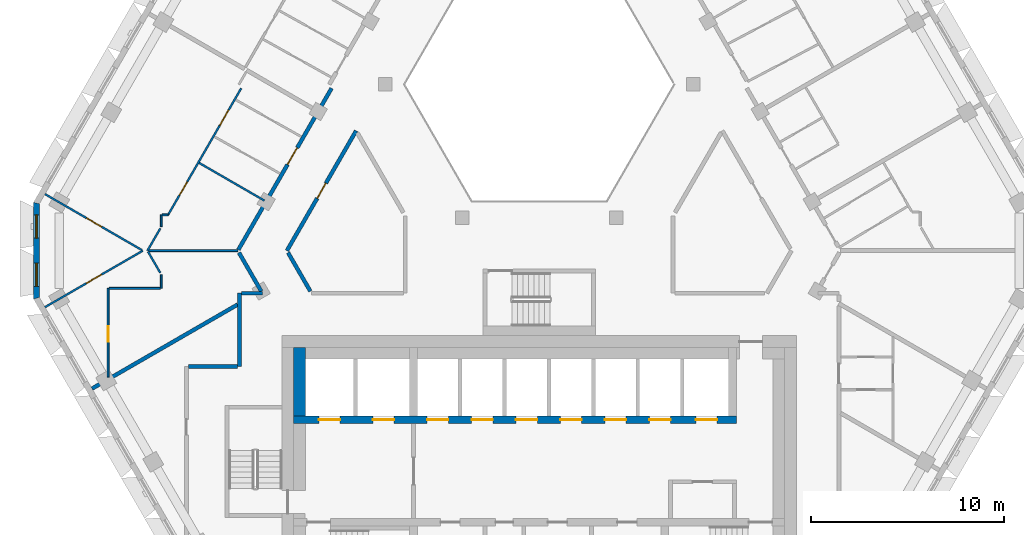
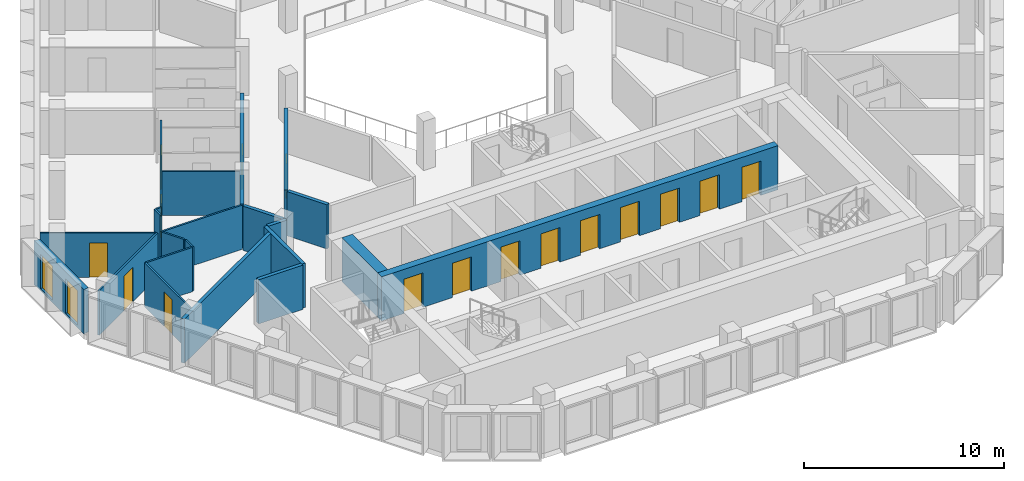
# One storey, part 4 of 18: 23 walls, 16 doors, 2 windows, 18 openings.
"""IFC4 building model written with IfcOpenShell, lengths in metres."""

from ifc_helpers import new_model, si_unit, direction, frame, frame_2d, origin, place, context, subcontext, project, spatial, polyline, rectangle, outline, extrude, material, layer, layer_set, type_object, element, fill, save


model = new_model("IFC4")

# Units and contexts
model_context = context("Model", 3, precision=1e-05, world=origin(), true_north=direction((0.0, 1.0)))
body_context = subcontext(model_context, "Body", "Model", "MODEL_VIEW")
ifc_project = project(units=[si_unit("LENGTHUNIT", "METRE"), si_unit("AREAUNIT", "SQUARE_METRE"), si_unit("VOLUMEUNIT", "CUBIC_METRE"), si_unit("PLANEANGLEUNIT", "RADIAN"), si_unit("MASSUNIT", "GRAM", prefix="KILO")], contexts=[model_context])

# Site, building, storey
site_placement = place(None, origin())
site = spatial("IfcSite", under=ifc_project, at=site_placement, CompositionType="ELEMENT")
building_placement = place(site_placement, origin())
building = spatial("IfcBuilding", under=site, at=building_placement, Name="Beryl Residences", CompositionType="ELEMENT")
storey_placement = place(building_placement, frame((0.0, 0.0, 190.199951171875)))
storey = spatial("IfcBuildingStorey", under=building, at=storey_placement, Name="L58", CompositionType="ELEMENT", Elevation=190.199951171875)

# Wall, openings, windows
ifc_material_1 = material(Name="Composite metal panel with mineral wool insulation")
ifc_layer_1 = layer(ifc_material_1, 0.300048828125)
ifc_layer_set_1 = layer_set([ifc_layer_1], Name="ES1 pale metal composite panel wall 300 mm")
wall_type_1 = type_object("IfcWallType", Name="ES1 pale metal composite panel wall 300 mm", PredefinedType="SOLIDWALL", material=ifc_layer_set_1)
wall_1_placement = place(storey_placement, frame((-26.00390625, 1.89990234375, 0.0), z_axis=(0.0, 0.0, 1.0), x_axis=(0.0, -1.0, 0.0)))
wall_1 = element("IfcWall", 1, at=wall_1_placement, inside=storey, type_object=wall_type_1, Name="ES1 external wall L58 NW-SW", PredefinedType="SOLIDWALL", context=body_context, shape_type="SweptSolid", body=[
    extrude(outline(polyline([(0.0, -0.14990234375), (5.0, -0.14990234375), (4.919677734375, 0.14990234375), (0.080322265625, 0.14990234375), (0.0, -0.14990234375)])), origin(), (0.0, 0.0, 1.0), 2.699951171875),
])
opening_1_placement = place(wall_1_placement, frame((0.64990234375, 0.0, 0.14990234375)))
opening_1 = element("IfcOpeningElement", 2, at=opening_1_placement, cuts=wall_1, Name="Opening W2", PredefinedType="OPENING", context=body_context, shape_type="SweptSolid", body=[
    extrude(rectangle(XDim=1.199951171875, YDim=2.10009765625, at=frame_2d((0.60009765625, 1.050048828125))), frame((0.0, 0.159912109375, 0.0), z_axis=(0.0, -1.0, 0.0), x_axis=(1.0, 0.0, 0.0)), (0.0, 0.0, 1.0), 0.320068359375),
])
opening_2_placement = place(wall_1_placement, frame((3.14990234375, 0.0, 0.14990234375)))
opening_2 = element("IfcOpeningElement", 3, at=opening_2_placement, cuts=wall_1, Name="Opening W2", PredefinedType="OPENING", context=body_context, shape_type="SweptSolid", body=[
    extrude(rectangle(XDim=1.199951171875, YDim=2.10009765625, at=frame_2d((0.60009765625, 1.050048828125))), frame((0.0, 0.159912109375, 0.0), z_axis=(0.0, -1.0, 0.0), x_axis=(1.0, 0.0, 0.0)), (0.0, 0.0, 1.0), 0.320068359375),
])
ifc_material_2 = material(Name="Aluminium and clear glass", Category="aluminium")
window_type = type_object("IfcWindowType", Name="W2 chamfer window 1200 x 2100 mm", PartitioningType="SINGLE_PANEL", PredefinedType="WINDOW", material=ifc_material_2)
window_1_placement = place(opening_1_placement, origin())
window_1 = element("IfcWindow", 4, at=window_1_placement, inside=storey, type_object=window_type, Name="W2 window L58 NW-SW 1", OverallHeight=2.10009765625, OverallWidth=1.199951171875, PartitioningType="SINGLE_PANEL", PredefinedType="WINDOW", context=body_context, shape_type="SweptSolid", body=[
    extrude(rectangle(XDim=1.199951171875, YDim=2.10009765625, at=frame_2d((0.60009765625, 1.050048828125))), frame((0.0, 0.030029296875, 0.0), z_axis=(0.0, -1.0, 0.0), x_axis=(1.0, 0.0, 0.0)), (0.0, 0.0, 1.0), 0.06005859375),
])
fill(opening_1, window_1)
window_2_placement = place(opening_2_placement, origin())
window_2 = element("IfcWindow", 5, at=window_2_placement, inside=storey, type_object=window_type, Name="W2 window L58 NW-SW 2", OverallHeight=2.10009765625, OverallWidth=1.199951171875, PartitioningType="SINGLE_PANEL", PredefinedType="WINDOW", context=body_context, shape_type="SweptSolid", body=[
    extrude(rectangle(XDim=1.199951171875, YDim=2.10009765625, at=frame_2d((0.60009765625, 1.050048828125))), frame((0.0, 0.030029296875, 0.0), z_axis=(0.0, -1.0, 0.0), x_axis=(1.0, 0.0, 0.0)), (0.0, 0.0, 1.0), 0.06005859375),
])
fill(opening_2, window_2)

# Walls
ifc_material_3 = material(Name="Gypsum board partition on steel studs", Category="steel")
ifc_layer_2 = layer(ifc_material_3, 0.10009765625)
ifc_layer_set_2 = layer_set([ifc_layer_2], Name="PT1 partition 100 mm gypsum board on steel studs")
wall_type_2 = type_object("IfcWallType", Name="PT1 partition 100 mm gypsum board on steel studs", PredefinedType="PARTITIONING", material=ifc_layer_set_2)
wall_2_placement = place(storey_placement, frame((-20.23291015625, -0.65087890625, 0.0), z_axis=(0.0, 0.0, 1.0), x_axis=(0.500498449207, -0.865737432679, 0.0)))
element("IfcWall", 6, at=wall_2_placement, inside=storey, type_object=wall_type_2, Name="Wall PT1 L58 001", PredefinedType="PARTITIONING", context=body_context, shape_type="SweptSolid", body=[
    extrude(rectangle(XDim=1.270751953125, YDim=0.10009765625, at=frame_2d((0.63525390625, 0.0))), origin(), (0.0, 0.0, 1.0), 2.699951171875),
])
wall_3_placement = place(storey_placement, frame((-17.5849609375, 3.93603515625, 0.0), z_axis=(0.0, 0.0, 1.0), x_axis=(0.865979019114, -0.500080332001, 0.0)))
element("IfcWall", 7, at=wall_3_placement, inside=storey, type_object=wall_type_2, Name="Wall PT1 L58 013", PredefinedType="PARTITIONING", context=body_context, shape_type="SweptSolid", body=[
    extrude(rectangle(XDim=3.897216796875, YDim=0.10009765625, at=frame_2d((1.94873046875, 0.0))), origin(), (0.0, 0.0, 1.0), 2.699951171875),
])

# Wall, opening, door
wall_4_placement = place(storey_placement, frame((-25.56201171875, 2.324951171875, 0.0), z_axis=(0.0, 0.0, 1.0), x_axis=(0.86599890761, -0.500045889912, 0.0)))
wall_4 = element("IfcWall", 8, at=wall_4_placement, inside=storey, type_object=wall_type_2, Name="Wall PT1 L58 014", PredefinedType="PARTITIONING", context=body_context, shape_type="SweptSolid", body=[
    extrude(rectangle(XDim=5.79345703125, YDim=0.10009765625, at=frame_2d((2.896728515625, 0.0))), origin(), (0.0, 0.0, 1.0), 2.699951171875),
])
opening_3_placement = place(wall_4_placement, frame((2.47607421875, 0.0, 0.0)))
opening_3 = element("IfcOpeningElement", 9, at=opening_3_placement, cuts=wall_4, Name="Opening D1528", PredefinedType="OPENING", context=body_context, shape_type="SweptSolid", body=[
    extrude(rectangle(XDim=0.89990234375, YDim=2.10009765625, at=frame_2d((0.449951171875, 1.050048828125))), frame((0.0, 0.06005859375, 0.0), z_axis=(0.0, -1.0, 0.0), x_axis=(1.0, 0.0, 0.0)), (0.0, 0.0, 1.0), 0.1201171875),
])
ifc_material_4 = material(Name="Timber door leaf", Category="wood")
door_type_1 = type_object("IfcDoorType", Name="D2 room door 900 x 2100 mm", OperationType="SINGLE_SWING_LEFT", PredefinedType="DOOR", material=ifc_material_4)
door_1_placement = place(opening_3_placement, origin())
door_1 = element("IfcDoor", 10, at=door_1_placement, inside=storey, type_object=door_type_1, Name="Door D1528 L58 001", OperationType="SINGLE_SWING_RIGHT", OverallHeight=2.10009765625, OverallWidth=0.89990234375, PredefinedType="DOOR", context=body_context, shape_type="SweptSolid", body=[
    extrude(rectangle(XDim=0.89990234375, YDim=2.10009765625, at=frame_2d((0.449951171875, 1.050048828125))), frame((0.0, 0.02490234375, 0.0), z_axis=(0.0, -1.0, 0.0), x_axis=(1.0, 0.0, 0.0)), (0.0, 0.0, 1.0), 0.050048828125),
])
fill(opening_3, door_1)

# Walls
wall_5_placement = place(storey_placement, frame((-20.2041015625, -0.60107421875, 0.0), z_axis=(0.0, 0.0, 1.0), x_axis=(1.0, 0.0, 0.0)))
element("IfcWall", 11, at=wall_5_placement, inside=storey, type_object=wall_type_2, Name="Wall PT1 L58 017", PredefinedType="PARTITIONING", context=body_context, shape_type="SweptSolid", body=[
    extrude(rectangle(XDim=4.6162109375, YDim=0.10009765625, at=frame_2d((2.30810546875, 0.0))), origin(), (0.0, 0.0, 1.0), 2.699951171875),
])
wall_6_placement = place(storey_placement, frame((-22.2470703125, -2.552978515625, 0.0), z_axis=(0.0, 0.0, 1.0), x_axis=(1.0, 0.0, 0.0)))
element("IfcWall", 12, at=wall_6_placement, inside=storey, type_object=wall_type_2, Name="Wall PT1 L58 020", PredefinedType="PARTITIONING", context=body_context, shape_type="SweptSolid", body=[
    extrude(rectangle(XDim=2.650146484375, YDim=0.10009765625, at=frame_2d((1.3251953125, 0.0))), origin(), (0.0, 0.0, 1.0), 2.699951171875),
])
wall_7_placement = place(storey_placement, frame((-19.4970703125, 1.2470703125, 0.0), z_axis=(0.0, 0.0, 1.0), x_axis=(1.0, 0.0, 0.0)))
element("IfcWall", 13, at=wall_7_placement, inside=storey, type_object=wall_type_2, Name="Wall PT1 L58 021", PredefinedType="PARTITIONING", context=body_context, shape_type="SweptSolid", body=[
    extrude(rectangle(XDim=0.302001953125, YDim=0.10009765625, at=frame_2d((0.15087890625, 0.0))), origin(), (0.0, 0.0, 1.0), 2.699951171875),
])
wall_8_placement = place(storey_placement, frame((-20.261962890625, -0.60107421875, 0.0), z_axis=(0.0, 0.0, 1.0), x_axis=(0.500247001515, 0.86588275042, 0.0)))
element("IfcWall", 14, at=wall_8_placement, inside=storey, type_object=wall_type_2, Name="Wall PT1 L58 027", PredefinedType="PARTITIONING", context=body_context, shape_type="SweptSolid", body=[
    extrude(rectangle(XDim=1.329345703125, YDim=0.10009765625, at=frame_2d((0.66455078125, 0.0))), origin(), (0.0, 0.0, 1.0), 2.699951171875),
])

# Wall, openings, doors
wall_9_placement = place(storey_placement, frame((-19.195068359375, 1.2470703125, 0.0), z_axis=(0.0, 0.0, 1.0), x_axis=(0.499959862915, 0.866048575701, 0.0)))
wall_9 = element("IfcWall", 15, at=wall_9_placement, inside=storey, type_object=wall_type_2, Name="Wall PT1 L58 028", PredefinedType="PARTITIONING", context=body_context, shape_type="SweptSolid", body=[
    extrude(rectangle(XDim=7.56640625, YDim=0.10009765625, at=frame_2d((3.783203125, 0.0))), origin(), (0.0, 0.0, 1.0), 2.699951171875),
])
opening_4_placement = place(wall_9_placement, frame((5.35400390625, 0.0, 0.0)))
opening_4 = element("IfcOpeningElement", 16, at=opening_4_placement, cuts=wall_9, Name="Opening D1527", PredefinedType="OPENING", context=body_context, shape_type="SweptSolid", body=[
    extrude(rectangle(XDim=0.89990234375, YDim=2.10009765625, at=frame_2d((0.449951171875, 1.050048828125))), frame((0.0, 0.06005859375, 0.0), z_axis=(0.0, -1.0, 0.0), x_axis=(1.0, 0.0, 0.0)), (0.0, 0.0, 1.0), 0.1201171875),
])
opening_5_placement = place(wall_9_placement, frame((1.177001953125, 0.0, 0.0)))
opening_5 = element("IfcOpeningElement", 17, at=opening_5_placement, cuts=wall_9, Name="Opening D1529", PredefinedType="OPENING", context=body_context, shape_type="SweptSolid", body=[
    extrude(rectangle(XDim=0.800048828125, YDim=2.10009765625, at=frame_2d((0.39990234375, 1.050048828125))), frame((0.0, 0.06005859375, 0.0), z_axis=(0.0, -1.0, 0.0), x_axis=(1.0, 0.0, 0.0)), (0.0, 0.0, 1.0), 0.1201171875),
])
door_2_placement = place(opening_4_placement, origin())
door_2 = element("IfcDoor", 18, at=door_2_placement, inside=storey, type_object=door_type_1, Name="Door D1527 L58 001", OperationType="SINGLE_SWING_LEFT", OverallHeight=2.10009765625, OverallWidth=0.89990234375, PredefinedType="DOOR", context=body_context, shape_type="SweptSolid", body=[
    extrude(rectangle(XDim=0.89990234375, YDim=2.10009765625, at=frame_2d((0.449951171875, 1.050048828125))), frame((0.0, 0.02490234375, 0.0), z_axis=(0.0, -1.0, 0.0), x_axis=(1.0, 0.0, 0.0)), (0.0, 0.0, 1.0), 0.050048828125),
])
fill(opening_4, door_2)
ifc_material_5 = material(Name="Timber door leaf", Category="wood")
door_type_2 = type_object("IfcDoorType", Name="D3 bathroom door 800 x 2100 mm", OperationType="SINGLE_SWING_LEFT", PredefinedType="DOOR", material=ifc_material_5)
door_3_placement = place(opening_5_placement, origin())
door_3 = element("IfcDoor", 19, at=door_3_placement, inside=storey, type_object=door_type_2, Name="Door D1529 L58 001", OperationType="SINGLE_SWING_LEFT", OverallHeight=2.10009765625, OverallWidth=0.800048828125, PredefinedType="DOOR", context=body_context, shape_type="SweptSolid", body=[
    extrude(rectangle(XDim=0.800048828125, YDim=2.10009765625, at=frame_2d((0.39990234375, 1.050048828125))), frame((0.0, 0.02490234375, 0.0), z_axis=(0.0, -1.0, 0.0), x_axis=(1.0, 0.0, 0.0)), (0.0, 0.0, 1.0), 0.050048828125),
])
fill(opening_5, door_3)

# Walls
wall_10_placement = place(storey_placement, frame((-19.547119140625, -2.552978515625, 0.0), z_axis=(0.0, 0.0, 1.0), x_axis=(0.0, 1.0, 0.0)))
element("IfcWall", 20, at=wall_10_placement, inside=storey, type_object=wall_type_2, Name="Wall PT1 L58 037", PredefinedType="PARTITIONING", context=body_context, shape_type="SweptSolid", body=[
    extrude(rectangle(XDim=0.715087890625, YDim=0.10009765625, at=frame_2d((0.357421875, 0.0))), origin(), (0.0, 0.0, 1.0), 2.699951171875),
])
wall_11_placement = place(storey_placement, frame((-19.547119140625, 0.636962890625, 0.0), z_axis=(0.0, 0.0, 1.0), x_axis=(0.0, 1.0, 0.0)))
element("IfcWall", 21, at=wall_11_placement, inside=storey, type_object=wall_type_2, Name="Wall PT1 L58 038", PredefinedType="PARTITIONING", context=body_context, shape_type="SweptSolid", body=[
    extrude(rectangle(XDim=0.610107421875, YDim=0.10009765625, at=frame_2d((0.30517578125, 0.0))), origin(), (0.0, 0.0, 1.0), 2.699951171875),
])

# Wall, opening, door
wall_12_placement = place(storey_placement, frame((-22.297119140625, -7.14111328125, 0.0), z_axis=(0.0, 0.0, 1.0), x_axis=(0.0, 1.0, 0.0)))
wall_12 = element("IfcWall", 22, at=wall_12_placement, inside=storey, type_object=wall_type_2, Name="Wall PT1 L58 039", PredefinedType="PARTITIONING", context=body_context, shape_type="SweptSolid", body=[
    extrude(rectangle(XDim=4.588134765625, YDim=0.10009765625, at=frame_2d((2.2939453125, 0.0))), origin(), (0.0, 0.0, 1.0), 2.699951171875),
])
opening_6_placement = place(wall_12_placement, frame((1.8359375, 0.0, 0.0)))
opening_6 = element("IfcOpeningElement", 23, at=opening_6_placement, cuts=wall_12, Name="Opening D1531", PredefinedType="OPENING", context=body_context, shape_type="SweptSolid", body=[
    extrude(rectangle(XDim=0.800048828125, YDim=2.10009765625, at=frame_2d((0.39990234375, 1.050048828125))), frame((0.0, 0.06005859375, 0.0), z_axis=(0.0, -1.0, 0.0), x_axis=(1.0, 0.0, 0.0)), (0.0, 0.0, 1.0), 0.1201171875),
])
door_4_placement = place(opening_6_placement, origin())
door_4 = element("IfcDoor", 24, at=door_4_placement, inside=storey, type_object=door_type_2, Name="Door D1531 L58 001", OperationType="SINGLE_SWING_LEFT", OverallHeight=2.10009765625, OverallWidth=0.800048828125, PredefinedType="DOOR", context=body_context, shape_type="SweptSolid", body=[
    extrude(rectangle(XDim=0.800048828125, YDim=2.10009765625, at=frame_2d((0.39990234375, 1.050048828125))), frame((0.0, 0.02490234375, 0.0), z_axis=(0.0, -1.0, 0.0), x_axis=(1.0, 0.0, 0.0)), (0.0, 0.0, 1.0), 0.050048828125),
])
fill(opening_6, door_4)

wall_13_placement = place(storey_placement, frame((-25.56298828125, -3.52392578125, 0.0), z_axis=(0.0, 0.0, 1.0), x_axis=(0.866128586522, 0.499821239653, 0.0)))
wall_13 = element("IfcWall", 25, at=wall_13_placement, inside=storey, type_object=wall_type_2, Name="Wall PT1 L58 045", PredefinedType="PARTITIONING", context=body_context, shape_type="SweptSolid", body=[
    extrude(rectangle(XDim=5.847900390625, YDim=0.10009765625, at=frame_2d((2.923828125, 0.0))), origin(), (0.0, 0.0, 1.0), 2.699951171875),
])
opening_7_placement = place(wall_13_placement, frame((2.47412109375, 0.0, 0.0)))
opening_7 = element("IfcOpeningElement", 26, at=opening_7_placement, cuts=wall_13, Name="Opening D1530", PredefinedType="OPENING", context=body_context, shape_type="SweptSolid", body=[
    extrude(rectangle(XDim=0.89990234375, YDim=2.10009765625, at=frame_2d((0.449951171875, 1.050048828125))), frame((0.0, 0.06005859375, 0.0), z_axis=(0.0, -1.0, 0.0), x_axis=(1.0, 0.0, 0.0)), (0.0, 0.0, 1.0), 0.1201171875),
])
door_5_placement = place(opening_7_placement, origin())
door_5 = element("IfcDoor", 27, at=door_5_placement, inside=storey, type_object=door_type_1, Name="Door D1530 L58 001", OperationType="SINGLE_SWING_RIGHT", OverallHeight=2.10009765625, OverallWidth=0.89990234375, PredefinedType="DOOR", context=body_context, shape_type="SweptSolid", body=[
    extrude(rectangle(XDim=0.89990234375, YDim=2.10009765625, at=frame_2d((0.449951171875, 1.050048828125))), frame((0.0, 0.02490234375, 0.0), z_axis=(0.0, -1.0, 0.0), x_axis=(1.0, 0.0, 0.0)), (0.0, 0.0, 1.0), 0.050048828125),
])
fill(opening_7, door_5)

# Walls
ifc_material_6 = material(Name="Acoustic double stud gypsum board wall")
ifc_layer_3 = layer(ifc_material_6, 0.199951171875)
ifc_layer_set_3 = layer_set([ifc_layer_3], Name="PT3 party wall 200 mm acoustic double stud")
wall_type_3 = type_object("IfcWallType", Name="PT3 party wall 200 mm acoustic double stud", PredefinedType="PARTITIONING", material=ifc_layer_set_3)
wall_14_placement = place(storey_placement, frame((-23.1298828125, -7.737060546875, 0.0), z_axis=(0.0, 0.0, 1.0), x_axis=(0.866033148899, 0.499986584829, 0.0)))
element("IfcWall", 28, at=wall_14_placement, inside=storey, type_object=wall_type_3, Name="Wall PT3 L58 013", PredefinedType="PARTITIONING", context=body_context, shape_type="SweptSolid", body=[
    extrude(rectangle(XDim=8.694580078125, YDim=0.199951171875, at=frame_2d((4.34716796875, 0.0))), origin(), (0.0, 0.0, 1.0), 2.699951171875),
])
ifc_material_7 = material(Name="Double stud gypsum board wall")
ifc_layer_4 = layer(ifc_material_7, 0.199951171875)
ifc_layer_set_4 = layer_set([ifc_layer_4], Name="PT4 corridor wall 200 mm double stud")
wall_type_4 = type_object("IfcWallType", Name="PT4 corridor wall 200 mm double stud", PredefinedType="PARTITIONING", material=ifc_layer_set_4)
for number, where, z_axis, x_axis, name in (
    (29, (-12.989990234375, -0.700927734375, 0.0), (0.0, 0.0, 1.0), (0.499972710878, -0.866041158593, 0.0), "Wall PT4 L58 002"),
    (30, (-15.530029296875, -0.700927734375, 0.0), (0.0, 0.0, 1.0), (0.499972710878, -0.866041158593, 0.0), "Wall PT4 L58 003"),
):
    element("IfcWall", number, at=place(storey_placement, frame(where, z_axis=z_axis, x_axis=x_axis)), inside=storey, type_object=wall_type_4, Name=name, PredefinedType="PARTITIONING", context=body_context, shape_type="SweptSolid", body=[
        extrude(rectangle(XDim=2.308349609375, YDim=0.199951171875, at=frame_2d((1.154296875, 0.0))), origin(), (0.0, 0.0, 1.0), 2.699951171875),
    ])
wall_15_placement = place(storey_placement, frame((-18.14892578125, -6.60009765625, 0.0), z_axis=(0.0, 0.0, 1.0), x_axis=(1.0, 0.0, 0.0)))
element("IfcWall", 31, at=wall_15_placement, inside=storey, type_object=wall_type_4, Name="Wall PT4 L58 008", PredefinedType="PARTITIONING", context=body_context, shape_type="SweptSolid", body=[
    extrude(rectangle(XDim=2.548828125, YDim=0.199951171875, at=frame_2d((1.2744140625, 0.0))), origin(), (0.0, 0.0, 1.0), 2.699951171875),
])
wall_16_placement = place(storey_placement, frame((-15.39892578125, -2.800048828125, 0.0), z_axis=(0.0, 0.0, 1.0), x_axis=(1.0, 0.0, 0.0)))
element("IfcWall", 32, at=wall_16_placement, inside=storey, type_object=wall_type_4, Name="Wall PT4 L58 010", PredefinedType="PARTITIONING", context=body_context, shape_type="SweptSolid", body=[
    extrude(rectangle(XDim=1.080810546875, YDim=0.199951171875, at=frame_2d((0.54052734375, 0.0))), origin(), (0.0, 0.0, 1.0), 2.699951171875),
])

# Wall, opening, door
wall_17_placement = place(storey_placement, frame((-13.048095703125, -0.60107421875, 0.0), z_axis=(0.0, 0.0, 1.0), x_axis=(0.499982180423, 0.866035691677, 0.0)))
wall_17 = element("IfcWall", 33, at=wall_17_placement, inside=storey, type_object=wall_type_4, Name="Wall PT4 L58 018", PredefinedType="PARTITIONING", context=body_context, shape_type="SweptSolid", body=[
    extrude(rectangle(XDim=7.160400390625, YDim=0.199951171875, at=frame_2d((3.580078125, 0.0))), origin(), (0.0, 0.0, 1.0), 2.699951171875),
])
opening_8_placement = place(wall_17_placement, frame((3.1298828125, 0.0, 0.0)))
opening_8 = element("IfcOpeningElement", 34, at=opening_8_placement, cuts=wall_17, Name="Opening D1546", PredefinedType="OPENING", context=body_context, shape_type="SweptSolid", body=[
    extrude(rectangle(XDim=0.89990234375, YDim=2.10009765625, at=frame_2d((0.449951171875, 1.050048828125))), frame((0.0, 0.10986328125, 0.0), z_axis=(0.0, -1.0, 0.0), x_axis=(1.0, 0.0, 0.0)), (0.0, 0.0, 1.0), 0.219970703125),
])
door_6_placement = place(opening_8_placement, origin())
door_6 = element("IfcDoor", 35, at=door_6_placement, inside=storey, type_object=door_type_1, Name="Door D1546 L58 001", OperationType="SINGLE_SWING_RIGHT", OverallHeight=2.10009765625, OverallWidth=0.89990234375, PredefinedType="DOOR", context=body_context, shape_type="SweptSolid", body=[
    extrude(rectangle(XDim=0.89990234375, YDim=2.10009765625, at=frame_2d((0.449951171875, 1.050048828125))), frame((0.0, 0.02490234375, 0.0), z_axis=(0.0, -1.0, 0.0), x_axis=(1.0, 0.0, 0.0)), (0.0, 0.0, 1.0), 0.050048828125),
])
fill(opening_8, door_6)

wall_18_placement = place(storey_placement, frame((-15.55908203125, -0.551025390625, 0.0), z_axis=(0.0, 0.0, 1.0), x_axis=(0.499964997208, 0.866045611713, 0.0)))
wall_18 = element("IfcWall", 36, at=wall_18_placement, inside=storey, type_object=wall_type_4, Name="Wall PT4 L58 019", PredefinedType="PARTITIONING", context=body_context, shape_type="SweptSolid", body=[
    extrude(rectangle(XDim=9.642822265625, YDim=0.199951171875, at=frame_2d((4.8212890625, 0.0))), origin(), (0.0, 0.0, 1.0), 2.699951171875),
])
opening_9_placement = place(wall_18_placement, frame((5.087890625, 0.0, 0.0)))
opening_9 = element("IfcOpeningElement", 37, at=opening_9_placement, cuts=wall_18, Name="Opening D1524", PredefinedType="OPENING", context=body_context, shape_type="SweptSolid", body=[
    extrude(rectangle(XDim=1.0, YDim=2.10009765625, at=frame_2d((0.5, 1.050048828125))), frame((0.0, 0.10986328125, 0.0), z_axis=(0.0, -1.0, 0.0), x_axis=(1.0, 0.0, 0.0)), (0.0, 0.0, 1.0), 0.219970703125),
])
ifc_material_8 = material(Name="Timber door leaf", Category="wood")
door_type_3 = type_object("IfcDoorType", Name="D1 flat entrance door 1000 x 2100 mm", OperationType="SINGLE_SWING_LEFT", PredefinedType="DOOR", material=ifc_material_8)
door_7_placement = place(opening_9_placement, origin())
door_7 = element("IfcDoor", 38, at=door_7_placement, inside=storey, type_object=door_type_3, Name="Door D1524 L58 001", OperationType="SINGLE_SWING_RIGHT", OverallHeight=2.10009765625, OverallWidth=1.0, PredefinedType="DOOR", context=body_context, shape_type="SweptSolid", body=[
    extrude(rectangle(XDim=1.0, YDim=2.10009765625, at=frame_2d((0.5, 1.050048828125))), frame((0.0, 0.02490234375, 0.0), z_axis=(0.0, -1.0, 0.0), x_axis=(1.0, 0.0, 0.0)), (0.0, 0.0, 1.0), 0.050048828125),
])
fill(opening_9, door_7)

# Walls
wall_19_placement = place(storey_placement, frame((-15.5, -6.60009765625, 0.0), z_axis=(0.0, 0.0, 1.0), x_axis=(0.0, 1.0, 0.0)))
element("IfcWall", 39, at=wall_19_placement, inside=storey, type_object=wall_type_4, Name="Wall PT4 L58 024", PredefinedType="PARTITIONING", context=body_context, shape_type="SweptSolid", body=[
    extrude(rectangle(XDim=3.799072265625, YDim=0.199951171875, at=frame_2d((1.8994140625, 0.0))), origin(), (0.0, 0.0, 1.0), 2.699951171875),
])
ifc_material_9 = material(Name="Concrete C40/50", Category="concrete")
ifc_layer_5 = layer(ifc_material_9, 0.60009765625)
ifc_layer_set_5 = layer_set([ifc_layer_5], Name="PT6-600 lift shaft wall 600 mm")
wall_type_5 = type_object("IfcWallType", Name="PT6-600 lift shaft wall 600 mm", PredefinedType="SOLIDWALL", material=ifc_layer_set_5)
wall_20_placement = place(storey_placement, frame((-12.39990234375, -9.14990234375, 0.0), z_axis=(0.0, 0.0, 1.0), x_axis=(0.0, 1.0, 0.0)))
element("IfcWall", 40, at=wall_20_placement, inside=storey, type_object=wall_type_5, Name="Lift shaft wall 07", PredefinedType="SOLIDWALL", context=body_context, shape_type="SweptSolid", body=[
    extrude(rectangle(XDim=3.5498046875, YDim=0.60009765625, at=frame_2d((1.77490234375, 0.0))), origin(), (0.0, 0.0, 1.0), 2.699951171875),
])

# Wall, openings, doors
ifc_material_10 = material(Name="Concrete C50/60", Category="concrete")
ifc_layer_6 = layer(ifc_material_10, 0.39990234375)
ifc_layer_set_6 = layer_set([ifc_layer_6], Name="SW9 core internal wall 400 mm C50/60")
wall_type_6 = type_object("IfcWallType", Name="SW9 core internal wall 400 mm C50/60", PredefinedType="SHEAR", material=ifc_layer_set_6)
wall_21_placement = place(storey_placement, frame((-12.699951171875, -9.35009765625, 0.0), z_axis=(0.0, 0.0, 1.0), x_axis=(1.0, 0.0, 0.0)))
wall_21 = element("IfcWall", 41, at=wall_21_placement, inside=storey, type_object=wall_type_6, Name="Core wall SP2 L58", PredefinedType="SHEAR", context=body_context, shape_type="SweptSolid", body=[
    extrude(rectangle(XDim=22.89990234375, YDim=0.39990234375, at=frame_2d((11.449951171875, 0.0))), origin(), (0.0, 0.0, 1.0), 2.699951171875),
])
opening_10_placement = place(wall_21_placement, frame((1.300048828125, 0.0, 0.0)))
opening_10 = element("IfcOpeningElement", 42, at=opening_10_placement, cuts=wall_21, Name="Opening LD-FF1", PredefinedType="OPENING", context=body_context, shape_type="SweptSolid", body=[
    extrude(rectangle(XDim=1.10009765625, YDim=2.10009765625, at=frame_2d((0.550048828125, 1.050048828125))), frame((0.0, 0.2099609375, 0.0), z_axis=(0.0, -1.0, 0.0), x_axis=(1.0, 0.0, 0.0)), (0.0, 0.0, 1.0), 0.419921875),
])
opening_11_placement = place(wall_21_placement, frame((4.10009765625, 0.0, 0.0)))
opening_11 = element("IfcOpeningElement", 43, at=opening_11_placement, cuts=wall_21, Name="Opening LD-FF2", PredefinedType="OPENING", context=body_context, shape_type="SweptSolid", body=[
    extrude(rectangle(XDim=1.10009765625, YDim=2.10009765625, at=frame_2d((0.550048828125, 1.050048828125))), frame((0.0, 0.2099609375, 0.0), z_axis=(0.0, -1.0, 0.0), x_axis=(1.0, 0.0, 0.0)), (0.0, 0.0, 1.0), 0.419921875),
])
opening_12_placement = place(wall_21_placement, frame((6.89990234375, 0.0, 0.0)))
opening_12 = element("IfcOpeningElement", 44, at=opening_12_placement, cuts=wall_21, Name="Opening LD-HR1", PredefinedType="OPENING", context=body_context, shape_type="SweptSolid", body=[
    extrude(rectangle(XDim=1.10009765625, YDim=2.10009765625, at=frame_2d((0.550048828125, 1.050048828125))), frame((0.0, 0.2099609375, 0.0), z_axis=(0.0, -1.0, 0.0), x_axis=(1.0, 0.0, 0.0)), (0.0, 0.0, 1.0), 0.419921875),
])
opening_13_placement = place(wall_21_placement, frame((9.199951171875, 0.0, 0.0)))
opening_13 = element("IfcOpeningElement", 45, at=opening_13_placement, cuts=wall_21, Name="Opening LD-HR2", PredefinedType="OPENING", context=body_context, shape_type="SweptSolid", body=[
    extrude(rectangle(XDim=1.10009765625, YDim=2.10009765625, at=frame_2d((0.550048828125, 1.050048828125))), frame((0.0, 0.2099609375, 0.0), z_axis=(0.0, -1.0, 0.0), x_axis=(1.0, 0.0, 0.0)), (0.0, 0.0, 1.0), 0.419921875),
])
opening_14_placement = place(wall_21_placement, frame((11.5, 0.0, 0.0)))
opening_14 = element("IfcOpeningElement", 46, at=opening_14_placement, cuts=wall_21, Name="Opening LD-HR3", PredefinedType="OPENING", context=body_context, shape_type="SweptSolid", body=[
    extrude(rectangle(XDim=1.10009765625, YDim=2.10009765625, at=frame_2d((0.550048828125, 1.050048828125))), frame((0.0, 0.2099609375, 0.0), z_axis=(0.0, -1.0, 0.0), x_axis=(1.0, 0.0, 0.0)), (0.0, 0.0, 1.0), 0.419921875),
])
opening_15_placement = place(wall_21_placement, frame((13.800048828125, 0.0, 0.0)))
opening_15 = element("IfcOpeningElement", 47, at=opening_15_placement, cuts=wall_21, Name="Opening LD-HR4", PredefinedType="OPENING", context=body_context, shape_type="SweptSolid", body=[
    extrude(rectangle(XDim=1.10009765625, YDim=2.10009765625, at=frame_2d((0.550048828125, 1.050048828125))), frame((0.0, 0.2099609375, 0.0), z_axis=(0.0, -1.0, 0.0), x_axis=(1.0, 0.0, 0.0)), (0.0, 0.0, 1.0), 0.419921875),
])
opening_16_placement = place(wall_21_placement, frame((16.10009765625, 0.0, 0.0)))
opening_16 = element("IfcOpeningElement", 48, at=opening_16_placement, cuts=wall_21, Name="Opening LD-HR5", PredefinedType="OPENING", context=body_context, shape_type="SweptSolid", body=[
    extrude(rectangle(XDim=1.10009765625, YDim=2.10009765625, at=frame_2d((0.550048828125, 1.050048828125))), frame((0.0, 0.2099609375, 0.0), z_axis=(0.0, -1.0, 0.0), x_axis=(1.0, 0.0, 0.0)), (0.0, 0.0, 1.0), 0.419921875),
])
opening_17_placement = place(wall_21_placement, frame((18.39990234375, 0.0, 0.0)))
opening_17 = element("IfcOpeningElement", 49, at=opening_17_placement, cuts=wall_21, Name="Opening LD-HR6", PredefinedType="OPENING", context=body_context, shape_type="SweptSolid", body=[
    extrude(rectangle(XDim=1.10009765625, YDim=2.10009765625, at=frame_2d((0.550048828125, 1.050048828125))), frame((0.0, 0.2099609375, 0.0), z_axis=(0.0, -1.0, 0.0), x_axis=(1.0, 0.0, 0.0)), (0.0, 0.0, 1.0), 0.419921875),
])
opening_18_placement = place(wall_21_placement, frame((20.800048828125, 0.0, 0.0)))
opening_18 = element("IfcOpeningElement", 50, at=opening_18_placement, cuts=wall_21, Name="Opening LD-SL1", PredefinedType="OPENING", context=body_context, shape_type="SweptSolid", body=[
    extrude(rectangle(XDim=1.10009765625, YDim=2.10009765625, at=frame_2d((0.550048828125, 1.050048828125))), frame((0.0, 0.2099609375, 0.0), z_axis=(0.0, -1.0, 0.0), x_axis=(1.0, 0.0, 0.0)), (0.0, 0.0, 1.0), 0.419921875),
])
ifc_material_11 = material(Name="Stainless steel sliding door", Category="steel")
door_type_4 = type_object("IfcDoorType", Name="LD1 lift landing door 1100 x 2100 mm", OperationType="DOUBLE_DOOR_SLIDING", PredefinedType="DOOR", material=ifc_material_11)
door_8_placement = place(opening_10_placement, origin())
door_8 = element("IfcDoor", 51, at=door_8_placement, inside=storey, type_object=door_type_4, Name="Lift landing door FF1", OperationType="DOUBLE_DOOR_SLIDING", OverallHeight=2.10009765625, OverallWidth=1.10009765625, PredefinedType="DOOR", context=body_context, shape_type="SweptSolid", body=[
    extrude(rectangle(XDim=1.10009765625, YDim=2.10009765625, at=frame_2d((0.550048828125, 1.050048828125))), frame((0.0, 0.02490234375, 0.0), z_axis=(0.0, -1.0, 0.0), x_axis=(1.0, 0.0, 0.0)), (0.0, 0.0, 1.0), 0.050048828125),
])
fill(opening_10, door_8)
door_9_placement = place(opening_11_placement, origin())
door_9 = element("IfcDoor", 52, at=door_9_placement, inside=storey, type_object=door_type_4, Name="Lift landing door FF2", OperationType="DOUBLE_DOOR_SLIDING", OverallHeight=2.10009765625, OverallWidth=1.10009765625, PredefinedType="DOOR", context=body_context, shape_type="SweptSolid", body=[
    extrude(rectangle(XDim=1.10009765625, YDim=2.10009765625, at=frame_2d((0.550048828125, 1.050048828125))), frame((0.0, 0.02490234375, 0.0), z_axis=(0.0, -1.0, 0.0), x_axis=(1.0, 0.0, 0.0)), (0.0, 0.0, 1.0), 0.050048828125),
])
fill(opening_11, door_9)
door_10_placement = place(opening_12_placement, origin())
door_10 = element("IfcDoor", 53, at=door_10_placement, inside=storey, type_object=door_type_4, Name="Lift landing door HR1", OperationType="DOUBLE_DOOR_SLIDING", OverallHeight=2.10009765625, OverallWidth=1.10009765625, PredefinedType="DOOR", context=body_context, shape_type="SweptSolid", body=[
    extrude(rectangle(XDim=1.10009765625, YDim=2.10009765625, at=frame_2d((0.550048828125, 1.050048828125))), frame((0.0, 0.02490234375, 0.0), z_axis=(0.0, -1.0, 0.0), x_axis=(1.0, 0.0, 0.0)), (0.0, 0.0, 1.0), 0.050048828125),
])
fill(opening_12, door_10)
door_11_placement = place(opening_13_placement, origin())
door_11 = element("IfcDoor", 54, at=door_11_placement, inside=storey, type_object=door_type_4, Name="Lift landing door HR2", OperationType="DOUBLE_DOOR_SLIDING", OverallHeight=2.10009765625, OverallWidth=1.10009765625, PredefinedType="DOOR", context=body_context, shape_type="SweptSolid", body=[
    extrude(rectangle(XDim=1.10009765625, YDim=2.10009765625, at=frame_2d((0.550048828125, 1.050048828125))), frame((0.0, 0.02490234375, 0.0), z_axis=(0.0, -1.0, 0.0), x_axis=(1.0, 0.0, 0.0)), (0.0, 0.0, 1.0), 0.050048828125),
])
fill(opening_13, door_11)
door_12_placement = place(opening_14_placement, origin())
door_12 = element("IfcDoor", 55, at=door_12_placement, inside=storey, type_object=door_type_4, Name="Lift landing door HR3", OperationType="DOUBLE_DOOR_SLIDING", OverallHeight=2.10009765625, OverallWidth=1.10009765625, PredefinedType="DOOR", context=body_context, shape_type="SweptSolid", body=[
    extrude(rectangle(XDim=1.10009765625, YDim=2.10009765625, at=frame_2d((0.550048828125, 1.050048828125))), frame((0.0, 0.02490234375, 0.0), z_axis=(0.0, -1.0, 0.0), x_axis=(1.0, 0.0, 0.0)), (0.0, 0.0, 1.0), 0.050048828125),
])
fill(opening_14, door_12)
door_13_placement = place(opening_15_placement, origin())
door_13 = element("IfcDoor", 56, at=door_13_placement, inside=storey, type_object=door_type_4, Name="Lift landing door HR4", OperationType="DOUBLE_DOOR_SLIDING", OverallHeight=2.10009765625, OverallWidth=1.10009765625, PredefinedType="DOOR", context=body_context, shape_type="SweptSolid", body=[
    extrude(rectangle(XDim=1.10009765625, YDim=2.10009765625, at=frame_2d((0.550048828125, 1.050048828125))), frame((0.0, 0.02490234375, 0.0), z_axis=(0.0, -1.0, 0.0), x_axis=(1.0, 0.0, 0.0)), (0.0, 0.0, 1.0), 0.050048828125),
])
fill(opening_15, door_13)
door_14_placement = place(opening_16_placement, origin())
door_14 = element("IfcDoor", 57, at=door_14_placement, inside=storey, type_object=door_type_4, Name="Lift landing door HR5", OperationType="DOUBLE_DOOR_SLIDING", OverallHeight=2.10009765625, OverallWidth=1.10009765625, PredefinedType="DOOR", context=body_context, shape_type="SweptSolid", body=[
    extrude(rectangle(XDim=1.10009765625, YDim=2.10009765625, at=frame_2d((0.550048828125, 1.050048828125))), frame((0.0, 0.02490234375, 0.0), z_axis=(0.0, -1.0, 0.0), x_axis=(1.0, 0.0, 0.0)), (0.0, 0.0, 1.0), 0.050048828125),
])
fill(opening_16, door_14)
door_15_placement = place(opening_17_placement, origin())
door_15 = element("IfcDoor", 58, at=door_15_placement, inside=storey, type_object=door_type_4, Name="Lift landing door HR6", OperationType="DOUBLE_DOOR_SLIDING", OverallHeight=2.10009765625, OverallWidth=1.10009765625, PredefinedType="DOOR", context=body_context, shape_type="SweptSolid", body=[
    extrude(rectangle(XDim=1.10009765625, YDim=2.10009765625, at=frame_2d((0.550048828125, 1.050048828125))), frame((0.0, 0.02490234375, 0.0), z_axis=(0.0, -1.0, 0.0), x_axis=(1.0, 0.0, 0.0)), (0.0, 0.0, 1.0), 0.050048828125),
])
fill(opening_17, door_15)
door_16_placement = place(opening_18_placement, origin())
door_16 = element("IfcDoor", 59, at=door_16_placement, inside=storey, type_object=door_type_4, Name="Lift landing door SL1", OperationType="DOUBLE_DOOR_SLIDING", OverallHeight=2.10009765625, OverallWidth=1.10009765625, PredefinedType="DOOR", context=body_context, shape_type="SweptSolid", body=[
    extrude(rectangle(XDim=1.10009765625, YDim=2.10009765625, at=frame_2d((0.550048828125, 1.050048828125))), frame((0.0, 0.02490234375, 0.0), z_axis=(0.0, -1.0, 0.0), x_axis=(1.0, 0.0, 0.0)), (0.0, 0.0, 1.0), 0.050048828125),
])
fill(opening_18, door_16)

save(model, "model.ifc")
